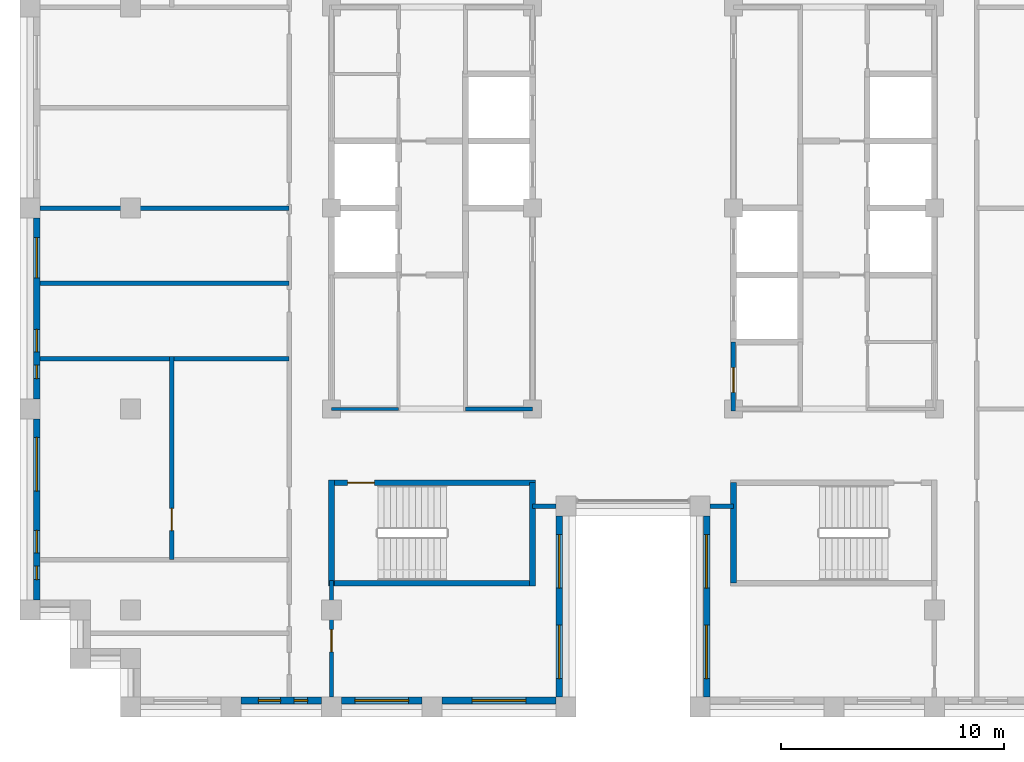
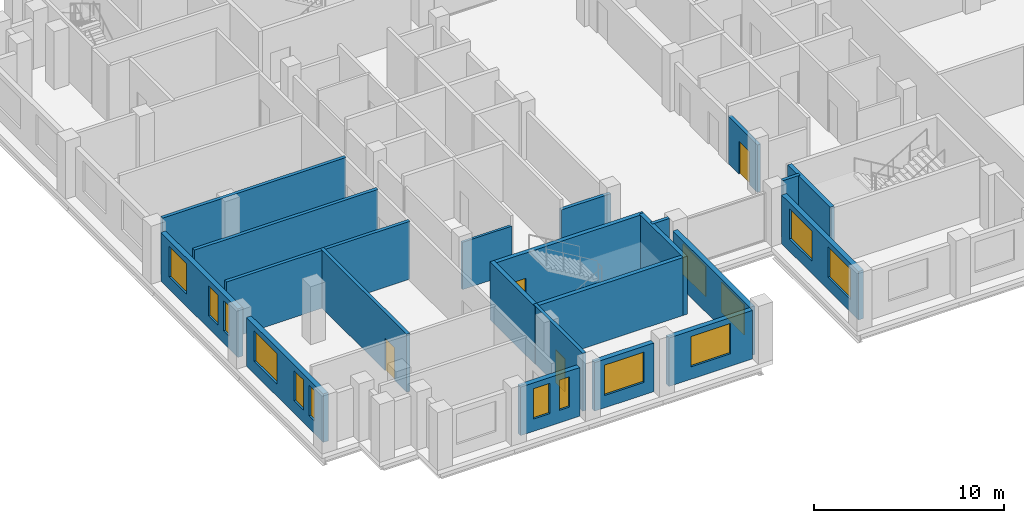
# One storey, part 6 of 13: 22 walls, 14 windows, 4 doors, 18 openings.
"""IFC4 building model written with IfcOpenShell, lengths in metres."""

from ifc_helpers import new_model, si_unit, direction, frame, frame_2d, origin, place, context, subcontext, project, spatial, rectangle, extrude, material, layer, layer_set, type_object, element, fill, save


model = new_model("IFC4")

# Units and contexts
model_context = context("Model", 3, precision=1e-05, world=origin(), true_north=direction((0.0, 1.0)))
body_context = subcontext(model_context, "Body", "Model", "MODEL_VIEW")
ifc_project = project(units=[si_unit("LENGTHUNIT", "METRE"), si_unit("AREAUNIT", "SQUARE_METRE"), si_unit("VOLUMEUNIT", "CUBIC_METRE"), si_unit("PLANEANGLEUNIT", "RADIAN"), si_unit("MASSUNIT", "GRAM", prefix="KILO")], contexts=[model_context])

# Site, building, storey
site_placement = place(None, origin())
site = spatial("IfcSite", under=ifc_project, at=site_placement, CompositionType="ELEMENT")
building_placement = place(site_placement, origin())
building = spatial("IfcBuilding", under=site, at=building_placement, Name="Corbelhall Arena Tower", CompositionType="ELEMENT")
storey_placement = place(building_placement, frame((0.0, 0.0, 278.0)))
storey = spatial("IfcBuildingStorey", under=building, at=storey_placement, Name="L60", CompositionType="ELEMENT", Elevation=278.0)

# Wall, openings, windows
ifc_material_1 = material(Name="Precast concrete C40/50 with granite facing", Category="masonry")
ifc_layer_1 = layer(ifc_material_1, 0.300048828125)
ifc_layer_set_1 = layer_set([ifc_layer_1], Name="EV-IW1 Infill panel 300")
wall_type_1 = type_object("IfcWallType", Name="EV-IW1 Infill panel 300", PredefinedType="SOLIDWALL", material=ifc_layer_set_1)
wall_1_placement = place(storey_placement, frame((-26.699951171875, -0.449951171875, 0.0), z_axis=(0.0, 0.0, 1.0), x_axis=(0.0, -1.0, 0.0)))
wall_1 = element("IfcWall", 1, at=wall_1_placement, inside=storey, type_object=wall_type_1, Name="Infill panel IW1", PredefinedType="SOLIDWALL", context=body_context, shape_type="SweptSolid", body=[
    extrude(rectangle(XDim=8.10009765625, YDim=0.300048828125, at=frame_2d((4.050048828125, 0.0))), origin(), (0.0, 0.0, 1.0), 3.1201171875),
])
opening_1_placement = place(wall_1_placement, frame((0.875, 0.0, 0.800048828125)))
opening_1 = element("IfcOpeningElement", 2, at=opening_1_placement, cuts=wall_1, Name="Opening WN8", PredefinedType="OPENING", context=body_context, shape_type="SweptSolid", body=[
    extrude(rectangle(XDim=1.800048828125, YDim=1.949951171875, at=frame_2d((0.89990234375, 0.97509765625))), frame((0.0, 0.14990234375, 0.0), z_axis=(0.0, -1.0, 0.0), x_axis=(1.0, 0.0, 0.0)), (0.0, 0.0, 1.0), 0.300048828125),
])
opening_2_placement = place(wall_1_placement, frame((4.987548828125, 0.0, 0.800048828125)))
opening_2 = element("IfcOpeningElement", 3, at=opening_2_placement, cuts=wall_1, Name="Opening WN6", PredefinedType="OPENING", context=body_context, shape_type="SweptSolid", body=[
    extrude(rectangle(XDim=1.0, YDim=1.949951171875, at=frame_2d((0.5, 0.97509765625))), frame((0.0, 0.14990234375, 0.0), z_axis=(0.0, -1.0, 0.0), x_axis=(1.0, 0.0, 0.0)), (0.0, 0.0, 1.0), 0.300048828125),
])
opening_3_placement = place(wall_1_placement, frame((6.58740234375, 0.0, 0.800048828125)))
opening_3 = element("IfcOpeningElement", 4, at=opening_3_placement, cuts=wall_1, Name="Opening WN5", PredefinedType="OPENING", context=body_context, shape_type="SweptSolid", body=[
    extrude(rectangle(XDim=0.60009765625, YDim=1.949951171875, at=frame_2d((0.300048828125, 0.97509765625))), frame((0.0, 0.14990234375, 0.0), z_axis=(0.0, -1.0, 0.0), x_axis=(1.0, 0.0, 0.0)), (0.0, 0.0, 1.0), 0.300048828125),
])
ifc_material_2 = material(Name="Aluminium black anodised", Category="aluminium")
window_type_1 = type_object("IfcWindowType", Name="EV-WN5 Office window 600", PartitioningType="SINGLE_PANEL", PredefinedType="WINDOW", material=ifc_material_2)
window_1_placement = place(opening_3_placement, origin())
window_1 = element("IfcWindow", 5, at=window_1_placement, inside=storey, type_object=window_type_1, Name="Window WN5", OverallHeight=1.949951171875, OverallWidth=0.60009765625, PartitioningType="SINGLE_PANEL", PredefinedType="WINDOW", context=body_context, shape_type="SweptSolid", body=[
    extrude(rectangle(XDim=0.60009765625, YDim=1.949951171875, at=frame_2d((0.300048828125, 0.97509765625))), frame((0.0, 0.030029296875, 0.0), z_axis=(0.0, -1.0, 0.0), x_axis=(1.0, 0.0, 0.0)), (0.0, 0.0, 1.0), 0.06005859375),
])
fill(opening_3, window_1)
window_type_2 = type_object("IfcWindowType", Name="EV-WN6 Office window 1000", PartitioningType="SINGLE_PANEL", PredefinedType="WINDOW", material=ifc_material_2)
window_2_placement = place(opening_2_placement, origin())
window_2 = element("IfcWindow", 6, at=window_2_placement, inside=storey, type_object=window_type_2, Name="Window WN6", OverallHeight=1.949951171875, OverallWidth=1.0, PartitioningType="SINGLE_PANEL", PredefinedType="WINDOW", context=body_context, shape_type="SweptSolid", body=[
    extrude(rectangle(XDim=1.0, YDim=1.949951171875, at=frame_2d((0.5, 0.97509765625))), frame((0.0, 0.030029296875, 0.0), z_axis=(0.0, -1.0, 0.0), x_axis=(1.0, 0.0, 0.0)), (0.0, 0.0, 1.0), 0.06005859375),
])
fill(opening_2, window_2)
window_type_3 = type_object("IfcWindowType", Name="EV-WN8 Office window 1800", PartitioningType="SINGLE_PANEL", PredefinedType="WINDOW", material=ifc_material_2)
window_3_placement = place(opening_1_placement, origin())
window_3 = element("IfcWindow", 7, at=window_3_placement, inside=storey, type_object=window_type_3, Name="Window WN8", OverallHeight=1.949951171875, OverallWidth=1.800048828125, PartitioningType="SINGLE_PANEL", PredefinedType="WINDOW", context=body_context, shape_type="SweptSolid", body=[
    extrude(rectangle(XDim=1.800048828125, YDim=1.949951171875, at=frame_2d((0.89990234375, 0.97509765625))), frame((0.0, 0.030029296875, 0.0), z_axis=(0.0, -1.0, 0.0), x_axis=(1.0, 0.0, 0.0)), (0.0, 0.0, 1.0), 0.06005859375),
])
fill(opening_1, window_3)

wall_2_placement = place(storey_placement, frame((-26.699951171875, -9.449951171875, 0.0), z_axis=(0.0, 0.0, 1.0), x_axis=(0.0, -1.0, 0.0)))
wall_2 = element("IfcWall", 8, at=wall_2_placement, inside=storey, type_object=wall_type_1, Name="Infill panel IW1", PredefinedType="SOLIDWALL", context=body_context, shape_type="SweptSolid", body=[
    extrude(rectangle(XDim=8.10009765625, YDim=0.300048828125, at=frame_2d((4.050048828125, 0.0))), origin(), (0.0, 0.0, 1.0), 3.1201171875),
])
opening_4_placement = place(wall_2_placement, frame((0.824951171875, 0.0, 0.800048828125)))
opening_4 = element("IfcOpeningElement", 9, at=opening_4_placement, cuts=wall_2, Name="Opening WN1", PredefinedType="OPENING", context=body_context, shape_type="SweptSolid", body=[
    extrude(rectangle(XDim=2.39990234375, YDim=1.949951171875, at=frame_2d((1.199951171875, 0.97509765625))), frame((0.0, 0.14990234375, 0.0), z_axis=(0.0, -1.0, 0.0), x_axis=(1.0, 0.0, 0.0)), (0.0, 0.0, 1.0), 0.300048828125),
])
opening_5_placement = place(wall_2_placement, frame((4.987548828125, 0.0, 0.800048828125)))
opening_5 = element("IfcOpeningElement", 10, at=opening_5_placement, cuts=wall_2, Name="Opening WN6", PredefinedType="OPENING", context=body_context, shape_type="SweptSolid", body=[
    extrude(rectangle(XDim=1.0, YDim=1.949951171875, at=frame_2d((0.5, 0.97509765625))), frame((0.0, 0.14990234375, 0.0), z_axis=(0.0, -1.0, 0.0), x_axis=(1.0, 0.0, 0.0)), (0.0, 0.0, 1.0), 0.300048828125),
])
opening_6_placement = place(wall_2_placement, frame((6.58740234375, 0.0, 0.800048828125)))
opening_6 = element("IfcOpeningElement", 11, at=opening_6_placement, cuts=wall_2, Name="Opening WN5", PredefinedType="OPENING", context=body_context, shape_type="SweptSolid", body=[
    extrude(rectangle(XDim=0.60009765625, YDim=1.949951171875, at=frame_2d((0.300048828125, 0.97509765625))), frame((0.0, 0.14990234375, 0.0), z_axis=(0.0, -1.0, 0.0), x_axis=(1.0, 0.0, 0.0)), (0.0, 0.0, 1.0), 0.300048828125),
])
window_type_4 = type_object("IfcWindowType", Name="EV-WN1 Office window", PartitioningType="SINGLE_PANEL", PredefinedType="WINDOW", material=ifc_material_2)
window_4_placement = place(opening_4_placement, origin())
window_4 = element("IfcWindow", 12, at=window_4_placement, inside=storey, type_object=window_type_4, Name="Window WN1", OverallHeight=1.949951171875, OverallWidth=2.39990234375, PartitioningType="SINGLE_PANEL", PredefinedType="WINDOW", context=body_context, shape_type="SweptSolid", body=[
    extrude(rectangle(XDim=2.39990234375, YDim=1.949951171875, at=frame_2d((1.199951171875, 0.97509765625))), frame((0.0, 0.030029296875, 0.0), z_axis=(0.0, -1.0, 0.0), x_axis=(1.0, 0.0, 0.0)), (0.0, 0.0, 1.0), 0.06005859375),
])
fill(opening_4, window_4)
window_5_placement = place(opening_6_placement, origin())
window_5 = element("IfcWindow", 13, at=window_5_placement, inside=storey, type_object=window_type_1, Name="Window WN5", OverallHeight=1.949951171875, OverallWidth=0.60009765625, PartitioningType="SINGLE_PANEL", PredefinedType="WINDOW", context=body_context, shape_type="SweptSolid", body=[
    extrude(rectangle(XDim=0.60009765625, YDim=1.949951171875, at=frame_2d((0.300048828125, 0.97509765625))), frame((0.0, 0.030029296875, 0.0), z_axis=(0.0, -1.0, 0.0), x_axis=(1.0, 0.0, 0.0)), (0.0, 0.0, 1.0), 0.06005859375),
])
fill(opening_6, window_5)
window_6_placement = place(opening_5_placement, origin())
window_6 = element("IfcWindow", 14, at=window_6_placement, inside=storey, type_object=window_type_2, Name="Window WN6", OverallHeight=1.949951171875, OverallWidth=1.0, PartitioningType="SINGLE_PANEL", PredefinedType="WINDOW", context=body_context, shape_type="SweptSolid", body=[
    extrude(rectangle(XDim=1.0, YDim=1.949951171875, at=frame_2d((0.5, 0.97509765625))), frame((0.0, 0.030029296875, 0.0), z_axis=(0.0, -1.0, 0.0), x_axis=(1.0, 0.0, 0.0)), (0.0, 0.0, 1.0), 0.06005859375),
])
fill(opening_5, window_6)

wall_3_placement = place(storey_placement, frame((-17.550048828125, -22.050048828125, 0.0), z_axis=(0.0, 0.0, 1.0), x_axis=(1.0, 0.0, 0.0)))
wall_3 = element("IfcWall", 15, at=wall_3_placement, inside=storey, type_object=wall_type_1, Name="Infill panel IW1", PredefinedType="SOLIDWALL", context=body_context, shape_type="SweptSolid", body=[
    extrude(rectangle(XDim=3.60009765625, YDim=0.300048828125, at=frame_2d((1.800048828125, 0.0))), origin(), (0.0, 0.0, 1.0), 3.1201171875),
])
opening_7_placement = place(wall_3_placement, frame((0.77490234375, 0.0, 0.800048828125)))
opening_7 = element("IfcOpeningElement", 16, at=opening_7_placement, cuts=wall_3, Name="Opening WN6", PredefinedType="OPENING", context=body_context, shape_type="SweptSolid", body=[
    extrude(rectangle(XDim=1.0, YDim=1.949951171875, at=frame_2d((0.5, 0.97509765625))), frame((0.0, 0.14990234375, 0.0), z_axis=(0.0, -1.0, 0.0), x_axis=(1.0, 0.0, 0.0)), (0.0, 0.0, 1.0), 0.300048828125),
])
opening_8_placement = place(wall_3_placement, frame((2.375, 0.0, 0.800048828125)))
opening_8 = element("IfcOpeningElement", 17, at=opening_8_placement, cuts=wall_3, Name="Opening WN5", PredefinedType="OPENING", context=body_context, shape_type="SweptSolid", body=[
    extrude(rectangle(XDim=0.60009765625, YDim=1.949951171875, at=frame_2d((0.300048828125, 0.97509765625))), frame((0.0, 0.14990234375, 0.0), z_axis=(0.0, -1.0, 0.0), x_axis=(1.0, 0.0, 0.0)), (0.0, 0.0, 1.0), 0.300048828125),
])
window_7_placement = place(opening_8_placement, origin())
window_7 = element("IfcWindow", 18, at=window_7_placement, inside=storey, type_object=window_type_1, Name="Window WN5", OverallHeight=1.949951171875, OverallWidth=0.60009765625, PartitioningType="SINGLE_PANEL", PredefinedType="WINDOW", context=body_context, shape_type="SweptSolid", body=[
    extrude(rectangle(XDim=0.60009765625, YDim=1.949951171875, at=frame_2d((0.300048828125, 0.97509765625))), frame((0.0, 0.030029296875, 0.0), z_axis=(0.0, -1.0, 0.0), x_axis=(1.0, 0.0, 0.0)), (0.0, 0.0, 1.0), 0.06005859375),
])
fill(opening_8, window_7)
window_8_placement = place(opening_7_placement, origin())
window_8 = element("IfcWindow", 19, at=window_8_placement, inside=storey, type_object=window_type_2, Name="Window WN6", OverallHeight=1.949951171875, OverallWidth=1.0, PartitioningType="SINGLE_PANEL", PredefinedType="WINDOW", context=body_context, shape_type="SweptSolid", body=[
    extrude(rectangle(XDim=1.0, YDim=1.949951171875, at=frame_2d((0.5, 0.97509765625))), frame((0.0, 0.030029296875, 0.0), z_axis=(0.0, -1.0, 0.0), x_axis=(1.0, 0.0, 0.0)), (0.0, 0.0, 1.0), 0.06005859375),
])
fill(opening_7, window_8)

# Wall, opening, window
wall_4_placement = place(storey_placement, frame((-13.050048828125, -22.050048828125, 0.0), z_axis=(0.0, 0.0, 1.0), x_axis=(1.0, 0.0, 0.0)))
wall_4 = element("IfcWall", 20, at=wall_4_placement, inside=storey, type_object=wall_type_1, Name="Infill panel IW1", PredefinedType="SOLIDWALL", context=body_context, shape_type="SweptSolid", body=[
    extrude(rectangle(XDim=3.60009765625, YDim=0.300048828125, at=frame_2d((1.800048828125, 0.0))), origin(), (0.0, 0.0, 1.0), 3.1201171875),
])
opening_9_placement = place(wall_4_placement, frame((0.60009765625, 0.0, 0.800048828125)))
opening_9 = element("IfcOpeningElement", 21, at=opening_9_placement, cuts=wall_4, Name="Opening WN1", PredefinedType="OPENING", context=body_context, shape_type="SweptSolid", body=[
    extrude(rectangle(XDim=2.39990234375, YDim=1.949951171875, at=frame_2d((1.199951171875, 0.97509765625))), frame((0.0, 0.14990234375, 0.0), z_axis=(0.0, -1.0, 0.0), x_axis=(1.0, 0.0, 0.0)), (0.0, 0.0, 1.0), 0.300048828125),
])
window_9_placement = place(opening_9_placement, origin())
window_9 = element("IfcWindow", 22, at=window_9_placement, inside=storey, type_object=window_type_4, Name="Window WN1", OverallHeight=1.949951171875, OverallWidth=2.39990234375, PartitioningType="SINGLE_PANEL", PredefinedType="WINDOW", context=body_context, shape_type="SweptSolid", body=[
    extrude(rectangle(XDim=2.39990234375, YDim=1.949951171875, at=frame_2d((1.199951171875, 0.97509765625))), frame((0.0, 0.030029296875, 0.0), z_axis=(0.0, -1.0, 0.0), x_axis=(1.0, 0.0, 0.0)), (0.0, 0.0, 1.0), 0.06005859375),
])
fill(opening_9, window_9)

wall_5_placement = place(storey_placement, frame((-8.550048828125, -22.050048828125, 0.0), z_axis=(0.0, 0.0, 1.0), x_axis=(1.0, 0.0, 0.0)))
wall_5 = element("IfcWall", 23, at=wall_5_placement, inside=storey, type_object=wall_type_1, Name="Infill panel IW1", PredefinedType="SOLIDWALL", context=body_context, shape_type="SweptSolid", body=[
    extrude(rectangle(XDim=5.10009765625, YDim=0.300048828125, at=frame_2d((2.550048828125, 0.0))), origin(), (0.0, 0.0, 1.0), 3.1201171875),
])
opening_10_placement = place(wall_5_placement, frame((1.35009765625, 0.0, 0.800048828125)))
opening_10 = element("IfcOpeningElement", 24, at=opening_10_placement, cuts=wall_5, Name="Opening WN1", PredefinedType="OPENING", context=body_context, shape_type="SweptSolid", body=[
    extrude(rectangle(XDim=2.39990234375, YDim=1.949951171875, at=frame_2d((1.199951171875, 0.97509765625))), frame((0.0, 0.14990234375, 0.0), z_axis=(0.0, -1.0, 0.0), x_axis=(1.0, 0.0, 0.0)), (0.0, 0.0, 1.0), 0.300048828125),
])
window_10_placement = place(opening_10_placement, origin())
window_10 = element("IfcWindow", 25, at=window_10_placement, inside=storey, type_object=window_type_4, Name="Window WN1", OverallHeight=1.949951171875, OverallWidth=2.39990234375, PartitioningType="SINGLE_PANEL", PredefinedType="WINDOW", context=body_context, shape_type="SweptSolid", body=[
    extrude(rectangle(XDim=2.39990234375, YDim=1.949951171875, at=frame_2d((1.199951171875, 0.97509765625))), frame((0.0, 0.030029296875, 0.0), z_axis=(0.0, -1.0, 0.0), x_axis=(1.0, 0.0, 0.0)), (0.0, 0.0, 1.0), 0.06005859375),
])
fill(opening_10, window_10)

# Wall, openings, windows
wall_6_placement = place(storey_placement, frame((-3.300048828125, -21.89990234375, 0.0), z_axis=(0.0, 0.0, 1.0), x_axis=(0.0, 1.0, 0.0)))
wall_6 = element("IfcWall", 26, at=wall_6_placement, inside=storey, type_object=wall_type_1, Name="Infill panel IW1", PredefinedType="SOLIDWALL", context=body_context, shape_type="SweptSolid", body=[
    extrude(rectangle(XDim=8.099853515625, YDim=0.300048828125, at=frame_2d((4.0498046875, 0.0))), origin(), (0.0, 0.0, 1.0), 3.1201171875),
])
opening_11_placement = place(wall_6_placement, frame((0.824951171875, 0.0, 0.800048828125)))
opening_11 = element("IfcOpeningElement", 27, at=opening_11_placement, cuts=wall_6, Name="Opening WN1", PredefinedType="OPENING", context=body_context, shape_type="SweptSolid", body=[
    extrude(rectangle(XDim=2.39990234375, YDim=1.949951171875, at=frame_2d((1.199951171875, 0.97509765625))), frame((0.0, 0.14990234375, 0.0), z_axis=(0.0, -1.0, 0.0), x_axis=(1.0, 0.0, 0.0)), (0.0, 0.0, 1.0), 0.300048828125),
])
opening_12_placement = place(wall_6_placement, frame((4.875, 0.0, 0.800048828125)))
opening_12 = element("IfcOpeningElement", 28, at=opening_12_placement, cuts=wall_6, Name="Opening WN1", PredefinedType="OPENING", context=body_context, shape_type="SweptSolid", body=[
    extrude(rectangle(XDim=2.39990234375, YDim=1.949951171875, at=frame_2d((1.199951171875, 0.97509765625))), frame((0.0, 0.14990234375, 0.0), z_axis=(0.0, -1.0, 0.0), x_axis=(1.0, 0.0, 0.0)), (0.0, 0.0, 1.0), 0.300048828125),
])
window_11_placement = place(opening_11_placement, origin())
window_11 = element("IfcWindow", 29, at=window_11_placement, inside=storey, type_object=window_type_4, Name="Window WN1", OverallHeight=1.949951171875, OverallWidth=2.39990234375, PartitioningType="SINGLE_PANEL", PredefinedType="WINDOW", context=body_context, shape_type="SweptSolid", body=[
    extrude(rectangle(XDim=2.39990234375, YDim=1.949951171875, at=frame_2d((1.199951171875, 0.97509765625))), frame((0.0, 0.030029296875, 0.0), z_axis=(0.0, -1.0, 0.0), x_axis=(1.0, 0.0, 0.0)), (0.0, 0.0, 1.0), 0.06005859375),
])
fill(opening_11, window_11)
window_12_placement = place(opening_12_placement, origin())
window_12 = element("IfcWindow", 30, at=window_12_placement, inside=storey, type_object=window_type_4, Name="Window WN1", OverallHeight=1.949951171875, OverallWidth=2.39990234375, PartitioningType="SINGLE_PANEL", PredefinedType="WINDOW", context=body_context, shape_type="SweptSolid", body=[
    extrude(rectangle(XDim=2.39990234375, YDim=1.949951171875, at=frame_2d((1.199951171875, 0.97509765625))), frame((0.0, 0.030029296875, 0.0), z_axis=(0.0, -1.0, 0.0), x_axis=(1.0, 0.0, 0.0)), (0.0, 0.0, 1.0), 0.06005859375),
])
fill(opening_12, window_12)

wall_7_placement = place(storey_placement, frame((3.300048828125, -13.800048828125, 0.0), z_axis=(0.0, 0.0, 1.0), x_axis=(0.0, -1.0, 0.0)))
wall_7 = element("IfcWall", 31, at=wall_7_placement, inside=storey, type_object=wall_type_1, Name="Infill panel IW1", PredefinedType="SOLIDWALL", context=body_context, shape_type="SweptSolid", body=[
    extrude(rectangle(XDim=8.099853515625, YDim=0.300048828125, at=frame_2d((4.0498046875, 0.0))), origin(), (0.0, 0.0, 1.0), 3.1201171875),
])
opening_13_placement = place(wall_7_placement, frame((0.824951171875, 0.0, 0.800048828125)))
opening_13 = element("IfcOpeningElement", 32, at=opening_13_placement, cuts=wall_7, Name="Opening WN1", PredefinedType="OPENING", context=body_context, shape_type="SweptSolid", body=[
    extrude(rectangle(XDim=2.39990234375, YDim=1.949951171875, at=frame_2d((1.199951171875, 0.97509765625))), frame((0.0, 0.14990234375, 0.0), z_axis=(0.0, -1.0, 0.0), x_axis=(1.0, 0.0, 0.0)), (0.0, 0.0, 1.0), 0.300048828125),
])
opening_14_placement = place(wall_7_placement, frame((4.875, 0.0, 0.800048828125)))
opening_14 = element("IfcOpeningElement", 33, at=opening_14_placement, cuts=wall_7, Name="Opening WN1", PredefinedType="OPENING", context=body_context, shape_type="SweptSolid", body=[
    extrude(rectangle(XDim=2.39990234375, YDim=1.949951171875, at=frame_2d((1.199951171875, 0.97509765625))), frame((0.0, 0.14990234375, 0.0), z_axis=(0.0, -1.0, 0.0), x_axis=(1.0, 0.0, 0.0)), (0.0, 0.0, 1.0), 0.300048828125),
])
window_13_placement = place(opening_13_placement, origin())
window_13 = element("IfcWindow", 34, at=window_13_placement, inside=storey, type_object=window_type_4, Name="Window WN1", OverallHeight=1.949951171875, OverallWidth=2.39990234375, PartitioningType="SINGLE_PANEL", PredefinedType="WINDOW", context=body_context, shape_type="SweptSolid", body=[
    extrude(rectangle(XDim=2.39990234375, YDim=1.949951171875, at=frame_2d((1.199951171875, 0.97509765625))), frame((0.0, 0.030029296875, 0.0), z_axis=(0.0, -1.0, 0.0), x_axis=(1.0, 0.0, 0.0)), (0.0, 0.0, 1.0), 0.06005859375),
])
fill(opening_13, window_13)
window_14_placement = place(opening_14_placement, origin())
window_14 = element("IfcWindow", 35, at=window_14_placement, inside=storey, type_object=window_type_4, Name="Window WN1", OverallHeight=1.949951171875, OverallWidth=2.39990234375, PartitioningType="SINGLE_PANEL", PredefinedType="WINDOW", context=body_context, shape_type="SweptSolid", body=[
    extrude(rectangle(XDim=2.39990234375, YDim=1.949951171875, at=frame_2d((1.199951171875, 0.97509765625))), frame((0.0, 0.030029296875, 0.0), z_axis=(0.0, -1.0, 0.0), x_axis=(1.0, 0.0, 0.0)), (0.0, 0.0, 1.0), 0.06005859375),
])
fill(opening_14, window_14)

# Walls
ifc_material_3 = material(Name="Gypsum board on steel stud, acoustic", Category="steel")
ifc_layer_2 = layer(ifc_material_3, 0.199951171875)
ifc_layer_set_2 = layer_set([ifc_layer_2], Name="IN-W-DM200")
wall_type_2 = type_object("IfcWallType", Name="IN-W-DM200", PredefinedType="PARTITIONING", material=ifc_layer_set_2)
for number, where, z_axis, x_axis, name in (
    (36, (-26.550048828125, -6.75, 0.0), (0.0, 0.0, 1.0), (1.0, 0.0, 0.0), "Partition 002"),
    (37, (-26.550048828125, -3.375, 0.0), (0.0, 0.0, 1.0), (1.0, 0.0, 0.0), "Partition 003"),
):
    element("IfcWall", number, at=place(storey_placement, frame(where, z_axis=z_axis, x_axis=x_axis)), inside=storey, type_object=wall_type_2, Name=name, PredefinedType="PARTITIONING", context=body_context, shape_type="SweptSolid", body=[
        extrude(rectangle(XDim=11.150146484375, YDim=0.199951171875, at=frame_2d((5.5751953125, 0.0))), origin(), (0.0, 0.0, 1.0), 3.719970703125),
    ])

# Wall, opening, door
wall_8_placement = place(storey_placement, frame((-20.64990234375, -15.75, 0.0), z_axis=(0.0, 0.0, 1.0), x_axis=(0.0, 1.0, 0.0)))
wall_8 = element("IfcWall", 38, at=wall_8_placement, inside=storey, type_object=wall_type_2, Name="Partition 008", PredefinedType="PARTITIONING", context=body_context, shape_type="SweptSolid", body=[
    extrude(rectangle(XDim=9.10009765625, YDim=0.199951171875, at=frame_2d((4.550048828125, 0.0))), origin(), (0.0, 0.0, 1.0), 3.719970703125),
])
opening_15_placement = place(wall_8_placement, frame((1.300048828125, 0.0, 0.0)))
opening_15 = element("IfcOpeningElement", 39, at=opening_15_placement, cuts=wall_8, Name="Opening 19029", PredefinedType="OPENING", context=body_context, shape_type="SweptSolid", body=[
    extrude(rectangle(XDim=1.0, YDim=2.10009765625, at=frame_2d((0.5, 1.050048828125))), frame((0.0, 0.10009765625, 0.0), z_axis=(0.0, -1.0, 0.0), x_axis=(1.0, 0.0, 0.0)), (0.0, 0.0, 1.0), 0.199951171875),
])
ifc_material_4 = material(Name="Steel door set", Category="steel")
door_type_1 = type_object("IfcDoorType", Name="IN-D-SW100", OperationType="NOTDEFINED", PredefinedType="DOOR", material=ifc_material_4)
door_1_placement = place(opening_15_placement, origin())
door_1 = element("IfcDoor", 40, at=door_1_placement, inside=storey, type_object=door_type_1, Name="Door 029", OperationType="SINGLE_SWING_RIGHT", OverallHeight=2.10009765625, OverallWidth=1.0, PredefinedType="DOOR", context=body_context, shape_type="SweptSolid", body=[
    extrude(rectangle(XDim=1.0, YDim=2.10009765625, at=frame_2d((0.5, 1.050048828125))), frame((0.0, 0.02490234375, 0.0), z_axis=(0.0, -1.0, 0.0), x_axis=(1.0, 0.0, 0.0)), (0.0, 0.0, 1.0), 0.050048828125),
])
fill(opening_15, door_1)

# Wall
wall_9_placement = place(storey_placement, frame((-15.39990234375, 0.0, 0.0), z_axis=(0.0, 0.0, 1.0), x_axis=(-1.0, 0.0, 0.0)))
element("IfcWall", 41, at=wall_9_placement, inside=storey, type_object=wall_type_2, Name="Partition 012", PredefinedType="PARTITIONING", context=body_context, shape_type="SweptSolid", body=[
    extrude(rectangle(XDim=11.150146484375, YDim=0.199951171875, at=frame_2d((5.5751953125, 0.0))), origin(), (0.0, 0.0, 1.0), 3.719970703125),
])

# Wall, opening, door
wall_10_placement = place(storey_placement, frame((-13.5, -16.675048828125, 0.0), z_axis=(0.0, 0.0, 1.0), x_axis=(0.0, -1.0, 0.0)))
wall_10 = element("IfcWall", 42, at=wall_10_placement, inside=storey, type_object=wall_type_2, Name="Partition 013", PredefinedType="PARTITIONING", context=body_context, shape_type="SweptSolid", body=[
    extrude(rectangle(XDim=5.224853515625, YDim=0.199951171875, at=frame_2d((2.6123046875, 0.0))), origin(), (0.0, 0.0, 1.0), 3.719970703125),
])
opening_16_placement = place(wall_10_placement, frame((2.199951171875, 0.0, 0.0)))
opening_16 = element("IfcOpeningElement", 43, at=opening_16_placement, cuts=wall_10, Name="Opening 19020", PredefinedType="OPENING", context=body_context, shape_type="SweptSolid", body=[
    extrude(rectangle(XDim=1.0, YDim=2.10009765625, at=frame_2d((0.5, 1.050048828125))), frame((0.0, 0.10009765625, 0.0), z_axis=(0.0, -1.0, 0.0), x_axis=(1.0, 0.0, 0.0)), (0.0, 0.0, 1.0), 0.199951171875),
])
door_2_placement = place(opening_16_placement, origin())
door_2 = element("IfcDoor", 44, at=door_2_placement, inside=storey, type_object=door_type_1, Name="Door 020", OperationType="SINGLE_SWING_LEFT", OverallHeight=2.10009765625, OverallWidth=1.0, PredefinedType="DOOR", context=body_context, shape_type="SweptSolid", body=[
    extrude(rectangle(XDim=1.0, YDim=2.10009765625, at=frame_2d((0.5, 1.050048828125))), frame((0.0, 0.02490234375, 0.0), z_axis=(0.0, -1.0, 0.0), x_axis=(1.0, 0.0, 0.0)), (0.0, 0.0, 1.0), 0.050048828125),
])
fill(opening_16, door_2)

# Walls
for number, where, z_axis, x_axis, name in (
    (45, (-3.449951171875, -13.35009765625, 0.0), (0.0, 0.0, 1.0), (-1.0, 0.0, 0.0), "Partition 014"),
    (46, (4.5, -13.35009765625, 0.0), (0.0, 0.0, 1.0), (-1.0, 0.0, 0.0), "Partition 016"),
):
    element("IfcWall", number, at=place(storey_placement, frame(where, z_axis=z_axis, x_axis=x_axis)), inside=storey, type_object=wall_type_2, Name=name, PredefinedType="PARTITIONING", context=body_context, shape_type="SweptSolid", body=[
        extrude(rectangle(XDim=1.050048828125, YDim=0.199951171875, at=frame_2d((0.52490234375, 0.0))), origin(), (0.0, 0.0, 1.0), 3.719970703125),
    ])
ifc_material_5 = material(Name="Concrete block wall", Category="concrete")
ifc_layer_3 = layer(ifc_material_5, 0.199951171875)
ifc_layer_set_3 = layer_set([ifc_layer_3], Name="IN-W-RS200 under beam 678 mm")
wall_type_3 = type_object("IfcWallType", Name="IN-W-RS200 under beam 678 mm", PredefinedType="SOLIDWALL", material=ifc_layer_set_3)
wall_11_placement = place(storey_placement, frame((-4.5, -9.0, 0.0), z_axis=(0.0, 0.0, 1.0), x_axis=(-1.0, 0.0, 0.0)))
element("IfcWall", 47, at=wall_11_placement, inside=storey, type_object=wall_type_3, Name="Partition 032", PredefinedType="SOLIDWALL", context=body_context, shape_type="SweptSolid", body=[
    extrude(rectangle(XDim=3.0, YDim=0.199951171875, at=frame_2d((1.5, 0.0))), origin(), (0.0, 0.0, 1.0), 3.041748046875),
])

# Wall, opening, door
wall_12_placement = place(storey_placement, frame((4.5, -9.10009765625, 0.0), z_axis=(0.0, 0.0, 1.0), x_axis=(0.0, 1.0, 0.0)))
wall_12 = element("IfcWall", 48, at=wall_12_placement, inside=storey, type_object=wall_type_3, Name="Partition 035", PredefinedType="SOLIDWALL", context=body_context, shape_type="SweptSolid", body=[
    extrude(rectangle(XDim=3.10009765625, YDim=0.199951171875, at=frame_2d((1.550048828125, 0.0))), origin(), (0.0, 0.0, 1.0), 3.041748046875),
])
opening_17_placement = place(wall_12_placement, frame((0.85009765625, 0.0, 0.0)))
opening_17 = element("IfcOpeningElement", 49, at=opening_17_placement, cuts=wall_12, Name="Opening 19008", PredefinedType="OPENING", context=body_context, shape_type="SweptSolid", body=[
    extrude(rectangle(XDim=1.10009765625, YDim=2.10009765625, at=frame_2d((0.550048828125, 1.050048828125))), frame((0.0, 0.10009765625, 0.0), z_axis=(0.0, -1.0, 0.0), x_axis=(1.0, 0.0, 0.0)), (0.0, 0.0, 1.0), 0.199951171875),
])
door_type_2 = type_object("IfcDoorType", Name="IN-D-FD110", OperationType="NOTDEFINED", PredefinedType="DOOR", material=ifc_material_4)
door_3_placement = place(opening_17_placement, origin())
door_3 = element("IfcDoor", 50, at=door_3_placement, inside=storey, type_object=door_type_2, Name="Door 008", OperationType="SINGLE_SWING_LEFT", OverallHeight=2.10009765625, OverallWidth=1.10009765625, PredefinedType="DOOR", context=body_context, shape_type="SweptSolid", body=[
    extrude(rectangle(XDim=1.10009765625, YDim=2.10009765625, at=frame_2d((0.550048828125, 1.050048828125))), frame((0.0, 0.02490234375, 0.0), z_axis=(0.0, -1.0, 0.0), x_axis=(1.0, 0.0, 0.0)), (0.0, 0.0, 1.0), 0.050048828125),
])
fill(opening_17, door_3)

# Walls
ifc_material_6 = material(Name="Concrete C40/50", Category="concrete")
ifc_layer_4 = layer(ifc_material_6, 0.25)
ifc_layer_set_4 = layer_set([ifc_layer_4], Name="IN-W-ST250")
wall_type_4 = type_object("IfcWallType", Name="IN-W-ST250", PredefinedType="SOLIDWALL", material=ifc_layer_set_4)
wall_13_placement = place(storey_placement, frame((-13.5, -12.175048828125, 0.0), z_axis=(0.0, 0.0, 1.0), x_axis=(0.0, -1.0, 0.0)))
element("IfcWall", 51, at=wall_13_placement, inside=storey, type_object=wall_type_4, Name="Shaft wall 065", PredefinedType="SOLIDWALL", context=body_context, shape_type="SweptSolid", body=[
    extrude(rectangle(XDim=4.75, YDim=0.25, at=frame_2d((2.375, 0.0))), origin(), (0.0, 0.0, 1.0), 3.719970703125),
])
wall_14_placement = place(storey_placement, frame((-4.5, -16.800048828125, 0.0), z_axis=(0.0, 0.0, 1.0), x_axis=(-1.0, 0.0, 0.0)))
element("IfcWall", 52, at=wall_14_placement, inside=storey, type_object=wall_type_4, Name="Shaft wall 069", PredefinedType="SOLIDWALL", context=body_context, shape_type="SweptSolid", body=[
    extrude(rectangle(XDim=9.0, YDim=0.25, at=frame_2d((4.5, 0.0))), origin(), (0.0, 0.0, 1.0), 3.719970703125),
])
wall_15_placement = place(storey_placement, frame((-4.5, -12.300048828125, 0.0), z_axis=(0.0, 0.0, 1.0), x_axis=(0.0, -1.0, 0.0)))
element("IfcWall", 53, at=wall_15_placement, inside=storey, type_object=wall_type_4, Name="Shaft wall 070", PredefinedType="SOLIDWALL", context=body_context, shape_type="SweptSolid", body=[
    extrude(rectangle(XDim=4.625, YDim=0.25, at=frame_2d((2.3125, 0.0))), origin(), (0.0, 0.0, 1.0), 3.719970703125),
])

# Wall, opening, door
wall_16_placement = place(storey_placement, frame((-4.375, -12.300048828125, 0.0), z_axis=(0.0, 0.0, 1.0), x_axis=(-1.0, 0.0, 0.0)))
wall_16 = element("IfcWall", 54, at=wall_16_placement, inside=storey, type_object=wall_type_4, Name="Shaft wall 073", PredefinedType="SOLIDWALL", context=body_context, shape_type="SweptSolid", body=[
    extrude(rectangle(XDim=9.125, YDim=0.25, at=frame_2d((4.5625, 0.0))), origin(), (0.0, 0.0, 1.0), 3.719970703125),
])
opening_18_placement = place(wall_16_placement, frame((7.199951171875, 0.0, 0.0)))
opening_18 = element("IfcOpeningElement", 55, at=opening_18_placement, cuts=wall_16, Name="Opening 19016", PredefinedType="OPENING", context=body_context, shape_type="SweptSolid", body=[
    extrude(rectangle(XDim=1.199951171875, YDim=2.10009765625, at=frame_2d((0.60009765625, 1.050048828125))), frame((0.0, 0.125, 0.0), z_axis=(0.0, -1.0, 0.0), x_axis=(1.0, 0.0, 0.0)), (0.0, 0.0, 1.0), 0.25),
])
door_type_3 = type_object("IfcDoorType", Name="IN-D-ST120", OperationType="NOTDEFINED", PredefinedType="DOOR", material=ifc_material_4)
door_4_placement = place(opening_18_placement, origin())
door_4 = element("IfcDoor", 56, at=door_4_placement, inside=storey, type_object=door_type_3, Name="Door 016", OperationType="SINGLE_SWING_LEFT", OverallHeight=2.10009765625, OverallWidth=1.199951171875, PredefinedType="DOOR", context=body_context, shape_type="SweptSolid", body=[
    extrude(rectangle(XDim=1.199951171875, YDim=2.10009765625, at=frame_2d((0.60009765625, 1.050048828125))), frame((0.0, 0.02490234375, 0.0), z_axis=(0.0, -1.0, 0.0), x_axis=(1.0, 0.0, 0.0)), (0.0, 0.0, 1.0), 0.050048828125),
])
fill(opening_18, door_4)

# Walls
wall_17_placement = place(storey_placement, frame((4.5, -16.800048828125, 0.0), z_axis=(0.0, 0.0, 1.0), x_axis=(0.0, 1.0, 0.0)))
element("IfcWall", 57, at=wall_17_placement, inside=storey, type_object=wall_type_4, Name="Shaft wall 076", PredefinedType="SOLIDWALL", context=body_context, shape_type="SweptSolid", body=[
    extrude(rectangle(XDim=4.5, YDim=0.25, at=frame_2d((2.25, 0.0))), origin(), (0.0, 0.0, 1.0), 3.719970703125),
])
ifc_material_7 = material(Name="Gypsum board on steel stud, moisture resistant", Category="steel")
ifc_layer_5 = layer(ifc_material_7, 0.14990234375)
ifc_layer_set_5 = layer_set([ifc_layer_5], Name="IN-W-WC150 under beam 678 mm")
wall_type_5 = type_object("IfcWallType", Name="IN-W-WC150 under beam 678 mm", PredefinedType="PARTITIONING", material=ifc_layer_set_5)
wall_18_placement = place(storey_placement, frame((-10.5, -9.0, 0.0), z_axis=(0.0, 0.0, 1.0), x_axis=(-1.0, 0.0, 0.0)))
element("IfcWall", 58, at=wall_18_placement, inside=storey, type_object=wall_type_5, Name="Partition 086", PredefinedType="PARTITIONING", context=body_context, shape_type="SweptSolid", body=[
    extrude(rectangle(XDim=3.0, YDim=0.14990234375, at=frame_2d((1.5, 0.0))), origin(), (0.0, 0.0, 1.0), 3.041748046875),
])

save(model, "model.ifc")
